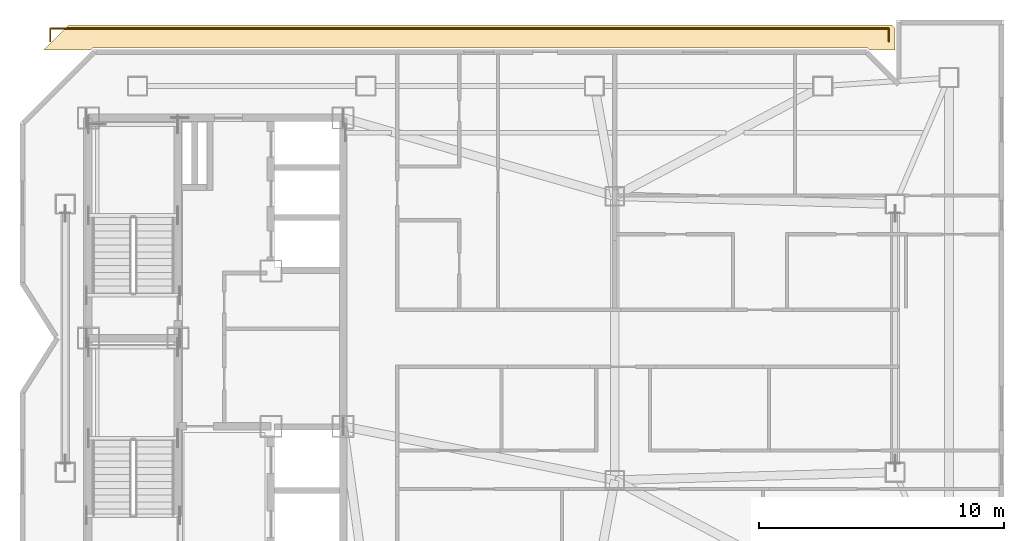
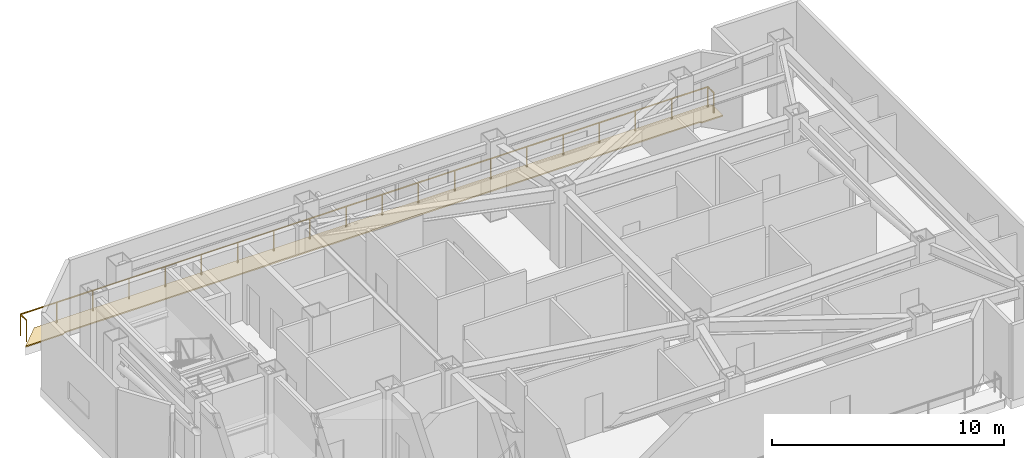
# One storey, part 10 of 10: 1 covering, 1 railing.
"""IFC4 building model written with IfcOpenShell, lengths in metres."""

from ifc_helpers import new_model, si_unit, direction, frame, origin, origin_2d, place, context, subcontext, project, spatial, polyline, circle, outline, extrude, material, layer, layer_set, type_object, element, save


model = new_model("IFC4")

# Units and contexts
model_context = context("Model", 3, precision=1e-05, world=origin(), true_north=direction((0.0, 1.0)))
body_context = subcontext(model_context, "Body", "Model", "MODEL_VIEW")
ifc_project = project(units=[si_unit("LENGTHUNIT", "METRE"), si_unit("AREAUNIT", "SQUARE_METRE"), si_unit("VOLUMEUNIT", "CUBIC_METRE"), si_unit("PLANEANGLEUNIT", "RADIAN"), si_unit("MASSUNIT", "GRAM", prefix="KILO")], contexts=[model_context])

# Site, building, storey
site_placement = place(None, origin())
site = spatial("IfcSite", under=ifc_project, at=site_placement, CompositionType="ELEMENT")
building_placement = place(site_placement, origin())
building = spatial("IfcBuilding", under=site, at=building_placement, Name="Khamvora Tower", CompositionType="ELEMENT")
storey_placement = place(building_placement, frame((0.0, 0.0, 294.64990234375)))
storey = spatial("IfcBuildingStorey", under=building, at=storey_placement, Name="L75", CompositionType="ELEMENT", Elevation=294.64990234375)

# Covering
ifc_material_1 = material(Name="Insulated Elastomeric Roof Waterproofing System", Category="membrane")
ifc_layer = layer(ifc_material_1, 0.0849609375)
ifc_layer_set = layer_set([ifc_layer], Name="Insulated Elastomeric Roof Waterproofing System")
covering_type = type_object("IfcCoveringType", Name="COV-ROOF-MEM", PredefinedType="ROOFING", material=ifc_layer_set)
covering_placement = place(storey_placement, origin())
element("IfcCovering", 1, at=covering_placement, inside=storey, type_object=covering_type, Name="L75 terrace waterproofing paving 2", PredefinedType="ROOFING", context=body_context, shape_type="SweptSolid", body=[
    extrude(outline(polyline([(28.199951171875, 40.800048828125), (61.800048828125, 40.800048828125), (61.93994140625, 40.659912109375), (61.93994140625, 39.780029296875), (60.905029296875, 39.780029296875), (60.842041015625, 39.842041015625), (60.837890625, 39.845947265625), (60.8330078125, 39.85009765625), (60.827880859375, 39.85302734375), (60.822998046875, 39.85498046875), (60.81689453125, 39.85693359375), (60.81201171875, 39.85888671875), (60.805908203125, 39.860107421875), (60.800048828125, 39.860107421875), (29.199951171875, 39.860107421875), (29.194091796875, 39.860107421875), (29.18798828125, 39.85888671875), (29.18310546875, 39.85693359375), (29.177001953125, 39.85498046875), (29.172119140625, 39.85302734375), (29.1669921875, 39.85009765625), (29.162109375, 39.845947265625), (29.157958984375, 39.842041015625), (29.094970703125, 39.780029296875), (27.179931640625, 39.780029296875), (28.199951171875, 40.800048828125)])), origin(), (0.0, 0.0, 1.0), 0.065185546875),
])

# Railing
ifc_material_2 = material(Name="Laminated Structural Safety Glass and Stainless Steel", Category="steel")
railing_type = type_object("IfcRailingType", Name="RAL-POOL-1150", PredefinedType="BALUSTRADE", material=ifc_material_2)
railing_placement = place(storey_placement, frame((27.429931640625, 40.1298828125, 0.0)))
element("IfcRailing", 2, at=railing_placement, inside=storey, type_object=railing_type, Name="L75 stepped roof terrace balustrade 2", PredefinedType="BALUSTRADE", context=body_context, shape_type="SweptSolid", body=[
    extrude(circle(Radius=0.02392578125, at=origin_2d()), frame((0.0, 0.0, 1.1259765625), z_axis=(0.0, 1.0, 0.0), x_axis=(-1.0, 0.0, 0.0)), (0.0, 0.0, 1.0), 0.52001953125),
    extrude(circle(Radius=0.02392578125, at=origin_2d()), frame((0.0, 0.52001953125, 1.1259765625), z_axis=(1.0, 0.0, 0.0), x_axis=(0.0, 1.0, 0.0)), (0.0, 0.0, 1.0), 34.260009765625),
    extrude(circle(Radius=0.02392578125, at=origin_2d()), frame((34.260009765625, 0.52001953125, 1.1259765625), z_axis=(0.0, -1.0, 0.0), x_axis=(1.0, 0.0, 0.0)), (0.0, 0.0, 1.0), 0.52001953125),
    extrude(circle(Radius=0.02099609375, at=origin_2d()), origin(), (0.0, 0.0, 1.0), 1.101806640625),
    extrude(circle(Radius=0.02099609375, at=origin_2d()), frame((0.0, 0.52001953125, 0.0)), (0.0, 0.0, 1.0), 1.101806640625),
    extrude(circle(Radius=0.02099609375, at=origin_2d()), frame((1.80322265625, 0.52001953125, 0.0)), (0.0, 0.0, 1.0), 1.101806640625),
    extrude(circle(Radius=0.02099609375, at=origin_2d()), frame((3.606201171875, 0.52001953125, 0.0)), (0.0, 0.0, 1.0), 1.101806640625),
    extrude(circle(Radius=0.02099609375, at=origin_2d()), frame((5.409423828125, 0.52001953125, 0.0)), (0.0, 0.0, 1.0), 1.101806640625),
    extrude(circle(Radius=0.02099609375, at=origin_2d()), frame((7.212646484375, 0.52001953125, 0.0)), (0.0, 0.0, 1.0), 1.101806640625),
    extrude(circle(Radius=0.02099609375, at=origin_2d()), frame((9.015869140625, 0.52001953125, 0.0)), (0.0, 0.0, 1.0), 1.101806640625),
    extrude(circle(Radius=0.02099609375, at=origin_2d()), frame((10.81884765625, 0.52001953125, 0.0)), (0.0, 0.0, 1.0), 1.101806640625),
    extrude(circle(Radius=0.02099609375, at=origin_2d()), frame((12.6220703125, 0.52001953125, 0.0)), (0.0, 0.0, 1.0), 1.101806640625),
    extrude(circle(Radius=0.02099609375, at=origin_2d()), frame((14.42529296875, 0.52001953125, 0.0)), (0.0, 0.0, 1.0), 1.101806640625),
    extrude(circle(Radius=0.02099609375, at=origin_2d()), frame((16.228515625, 0.52001953125, 0.0)), (0.0, 0.0, 1.0), 1.101806640625),
    extrude(circle(Radius=0.02099609375, at=origin_2d()), frame((18.031494140625, 0.52001953125, 0.0)), (0.0, 0.0, 1.0), 1.101806640625),
    extrude(circle(Radius=0.02099609375, at=origin_2d()), frame((19.834716796875, 0.52001953125, 0.0)), (0.0, 0.0, 1.0), 1.101806640625),
    extrude(circle(Radius=0.02099609375, at=origin_2d()), frame((21.637939453125, 0.52001953125, 0.0)), (0.0, 0.0, 1.0), 1.101806640625),
    extrude(circle(Radius=0.02099609375, at=origin_2d()), frame((23.441162109375, 0.52001953125, 0.0)), (0.0, 0.0, 1.0), 1.101806640625),
    extrude(circle(Radius=0.02099609375, at=origin_2d()), frame((25.244140625, 0.52001953125, 0.0)), (0.0, 0.0, 1.0), 1.101806640625),
    extrude(circle(Radius=0.02099609375, at=origin_2d()), frame((27.04736328125, 0.52001953125, 0.0)), (0.0, 0.0, 1.0), 1.101806640625),
    extrude(circle(Radius=0.02099609375, at=origin_2d()), frame((28.8505859375, 0.52001953125, 0.0)), (0.0, 0.0, 1.0), 1.101806640625),
    extrude(circle(Radius=0.02099609375, at=origin_2d()), frame((30.65380859375, 0.52001953125, 0.0)), (0.0, 0.0, 1.0), 1.101806640625),
    extrude(circle(Radius=0.02099609375, at=origin_2d()), frame((32.456787109375, 0.52001953125, 0.0)), (0.0, 0.0, 1.0), 1.101806640625),
    extrude(circle(Radius=0.02099609375, at=origin_2d()), frame((34.260009765625, 0.52001953125, 0.0)), (0.0, 0.0, 1.0), 1.101806640625),
    extrude(circle(Radius=0.02099609375, at=origin_2d()), frame((34.260009765625, 0.0, 0.0)), (0.0, 0.0, 1.0), 1.101806640625),
])

save(model, "model.ifc")
